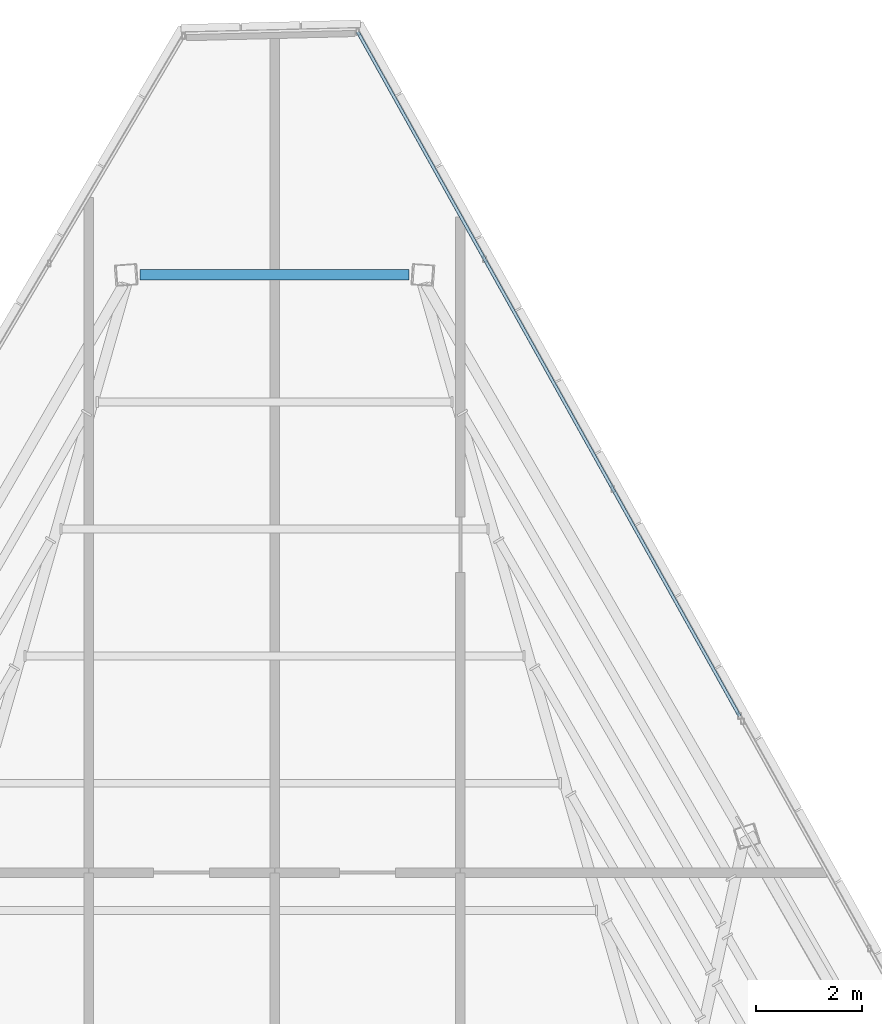
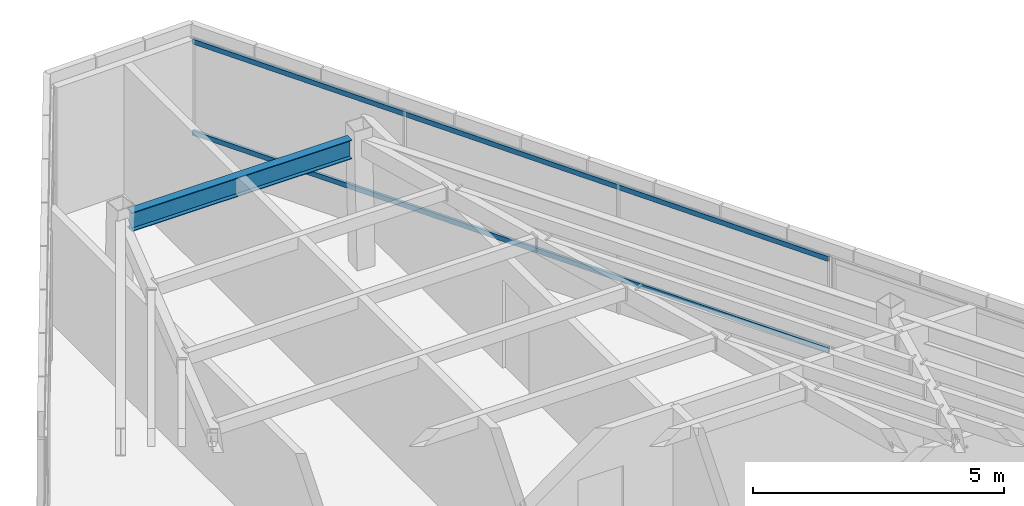
# One storey, part 36 of 48: 2 members, 1 beam, 1 element without a shape of its own.
"""IFC4 building model written with IfcOpenShell, lengths in metres."""

import ifcopenshell
import ifcopenshell.guid

model = None  # the IFC model being written
_history = None  # IfcOwnerHistory: only IFC2X3 demands one
_inside = {}  # id of a spatial element -> (the spatial element, [elements in it])
_under = {}  # id of a project, library or spatial element -> (it, [spatial elements below it])
_declared = {}  # id of a project -> (the project, [libraries it declares])
_typed = {}  # id of a type object -> (the type object, [elements of that type])
_made_of = {}  # id of a material, layer set ... -> (it, [elements and type objects made of it])


def new_model(schema):
    """Start an empty IFC model of exactly this schema.

    Asked for "IFC4X3", IfcOpenShell would pick the latest addendum, in which some entities
    have other attributes; the version numbers below select the first issue.
    IFC2X3 requires an IfcOwnerHistory on every rooted entity: one is made here for all.
    """
    global model, _history
    if schema == "IFC4X3":
        model = ifcopenshell.file(schema_version=(4, 3, 0, 0))
    else:
        model = ifcopenshell.file(schema=schema)
    _inside.clear()
    _under.clear()
    _declared.clear()
    _typed.clear()
    _made_of.clear()
    _history = None
    if model.schema == "IFC2X3":
        org = make("IfcOrganization", Name="unknown")
        user = make(
            "IfcPersonAndOrganization",
            ThePerson=make("IfcPerson", FamilyName="unknown"),
            TheOrganization=org,
        )
        app = make(
            "IfcApplication",
            ApplicationDeveloper=org,
            Version="unknown",
            ApplicationFullName="unknown",
            ApplicationIdentifier="unknown",
        )
        _history = make(
            "IfcOwnerHistory",
            OwningUser=user,
            OwningApplication=app,
            ChangeAction="ADDED",
            CreationDate=0,
        )
    return model


def make(cls, **values):
    """One entity of the class cls with the attributes given. An attribute that is None is left unset."""
    return model.create_entity(
        cls, **{name: value for name, value in values.items() if value is not None}
    )


def rooted(cls, **values):
    """An entity with a GlobalId (a new one), such as an element, a storey or a relation."""
    return make(cls, GlobalId=ifcopenshell.guid.new(), OwnerHistory=_history, **values)


def si_unit(unit_type, name, prefix=None):
    """IfcSIUnit, for example si_unit("LENGTHUNIT", "METRE", prefix="MILLI")."""
    return make("IfcSIUnit", UnitType=unit_type, Prefix=prefix, Name=name)


def assignment(units):
    """IfcUnitAssignment: the units of a project."""
    return None if units is None else make("IfcUnitAssignment", Units=units)


def point(xyz):
    """IfcCartesianPoint."""
    return None if xyz is None else make("IfcCartesianPoint", Coordinates=xyz)


def direction(xyz):
    """IfcDirection."""
    return None if xyz is None else make("IfcDirection", DirectionRatios=xyz)


def frame(location, z_axis=None, x_axis=None):
    """IfcAxis2Placement3D, a coordinate frame: its origin and axes. An axis left out is left unset."""
    return make(
        "IfcAxis2Placement3D",
        Location=point(location),
        Axis=direction(z_axis),
        RefDirection=direction(x_axis),
    )


def frame_2d(location, x_axis=None):
    """IfcAxis2Placement2D, a coordinate frame in the plane: its origin and x axis."""
    return make(
        "IfcAxis2Placement2D", Location=point(location), RefDirection=direction(x_axis)
    )


def origin():
    """The frame at (0, 0, 0) with its axes left unset."""
    return frame((0.0, 0.0, 0.0))


def origin_2d():
    """The frame at (0, 0) in the plane with its x axis left unset."""
    return frame_2d((0.0, 0.0))


def place(relative_to, where):
    """IfcLocalPlacement: puts the frame where relative to a parent placement (None: the world)."""
    return make(
        "IfcLocalPlacement", PlacementRelTo=relative_to, RelativePlacement=where
    )


def context(
    kind, dimensions, precision=None, world=None, true_north=None, identifier=None
):
    """IfcGeometricRepresentationContext, for example the 3D "Model" context."""
    return make(
        "IfcGeometricRepresentationContext",
        ContextIdentifier=identifier,
        ContextType=kind,
        CoordinateSpaceDimension=dimensions,
        Precision=precision,
        WorldCoordinateSystem=world,
        TrueNorth=true_north,
    )


def subcontext(parent, identifier, kind, view, scale=None):
    """IfcGeometricRepresentationSubContext, for example "Body" below "Model"."""
    return make(
        "IfcGeometricRepresentationSubContext",
        ContextIdentifier=identifier,
        ContextType=kind,
        ParentContext=parent,
        TargetScale=scale,
        TargetView=view,
    )


def project(units=None, contexts=None):
    """IfcProject with its units and contexts."""
    return rooted(
        "IfcProject",
        Name="project",
        RepresentationContexts=contexts,
        UnitsInContext=assignment(units),
    )


def spatial(cls, under=None, at=None, **own):
    """A site, building, storey or space (cls), placed at a placement, below another one or the project."""
    s = rooted(cls, ObjectPlacement=at, **own)
    if under is not None:
        _under.setdefault(under.id(), (under, []))[1].append(s)
    return s


def profile(cls, at=None, kind="AREA", **sizes):
    """A parametric profile (cls). Its sizes go by their IFC names, for example OverallWidth=200.0."""
    return make(cls, ProfileType=kind, Position=at, **sizes)


def hollow_rectangle(**sizes):
    """IfcRectangleHollowProfileDef."""
    return profile("IfcRectangleHollowProfileDef", **sizes)


def i_section(**sizes):
    """IfcIShapeProfileDef."""
    return profile("IfcIShapeProfileDef", **sizes)


def extrude(swept, where, along, depth):
    """IfcExtrudedAreaSolid: the profile swept, set in the frame where, extruded along a direction by depth."""
    return make(
        "IfcExtrudedAreaSolid",
        SweptArea=swept,
        Position=where,
        ExtrudedDirection=direction(along),
        Depth=depth,
    )


def shape(context_of_items, identifier, shape_type, items):
    """IfcShapeRepresentation: the items that make up one representation, for example the "Body"."""
    return make(
        "IfcShapeRepresentation",
        ContextOfItems=context_of_items,
        RepresentationIdentifier=identifier,
        RepresentationType=shape_type,
        Items=items,
    )


def source(mapping_origin, context_of_items, identifier, shape_type, items):
    """IfcRepresentationMap: a shape defined once, which mapped items show again and again."""
    return make(
        "IfcRepresentationMap",
        MappingOrigin=mapping_origin,
        MappedRepresentation=shape(context_of_items, identifier, shape_type, items),
    )


def transform(
    local_origin,
    x_axis=None,
    y_axis=None,
    z_axis=None,
    scale=None,
    scale2=None,
    scale3=None,
    uniform=True,
):
    """IfcCartesianTransformationOperator3D, or its non-uniform kind. x_axis, y_axis, z_axis: its Axis1, 2, 3."""
    if uniform:
        return make(
            "IfcCartesianTransformationOperator3D",
            Axis1=direction(x_axis),
            Axis2=direction(y_axis),
            LocalOrigin=point(local_origin),
            Scale=scale,
            Axis3=direction(z_axis),
        )
    return make(
        "IfcCartesianTransformationOperator3DnonUniform",
        Axis1=direction(x_axis),
        Axis2=direction(y_axis),
        LocalOrigin=point(local_origin),
        Scale=scale,
        Axis3=direction(z_axis),
        Scale2=scale2,
        Scale3=scale3,
    )


def mapped(mapping_source, mapping_target):
    """IfcMappedItem: shows the shape of a source again, moved by a transform."""
    return make(
        "IfcMappedItem", MappingSource=mapping_source, MappingTarget=mapping_target
    )


def material(Name=None, Category=None):
    """IfcMaterial."""
    return make("IfcMaterial", Name=Name, Category=Category)


def material_profile(
    of_material, cross_section, Name=None, Category=None, Priority=None
):
    """IfcMaterialProfile: a cross section and its material."""
    return make(
        "IfcMaterialProfile",
        Name=Name,
        Material=of_material,
        Profile=cross_section,
        Priority=Priority,
        Category=Category,
    )


def profile_set(profiles, Name=None, composite=None):
    """IfcMaterialProfileSet."""
    return make(
        "IfcMaterialProfileSet",
        Name=Name,
        MaterialProfiles=profiles,
        CompositeProfile=composite,
    )


def made_of(thing, what):
    """Note that an element or type object is made of a material, layer set ...; save() writes the relation."""
    if what is not None:
        _made_of.setdefault(what.id(), (what, []))[1].append(thing)
    return thing


def type_object(cls, material=None, **own):
    """A type object (cls), such as IfcWallType, which elements share."""
    return made_of(rooted(cls, **own), material)


def type_shapes(of_type, sources):
    """Give a type object the sources (RepresentationMaps) that its elements show as mapped items."""
    of_type.RepresentationMaps = sources


def element(
    cls,
    number,
    at=None,
    inside=None,
    cuts=None,
    type_object=None,
    material=None,
    context=None,
    identifier="Body",
    shape_type=None,
    held_by="IfcProductDefinitionShape",
    body=None,
    shapes=None,
    **own,
):
    """One element of the class cls, such as IfcWall. Its Tag is "e" and its number.

    at: its placement. inside: the storey or other place that contains it. cuts: it is an
    opening in that element (IfcRelVoidsElement). A single representation is given by context,
    identifier, shape_type and body (its items); several are given by shapes. held_by: the class
    of the entity that holds the representations. save() writes the other relations.
    """
    e = rooted(cls, Tag="e%d" % number, ObjectPlacement=at, **own)
    if body is not None:
        shapes = [shape(context, identifier, shape_type, body)]
    if shapes is not None:
        e.Representation = make(held_by, Representations=shapes)
    if inside is not None:
        _inside.setdefault(inside.id(), (inside, []))[1].append(e)
    if cuts is not None:
        rooted(
            "IfcRelVoidsElement", RelatingBuildingElement=cuts, RelatedOpeningElement=e
        )
    if type_object is not None:
        _typed.setdefault(type_object.id(), (type_object, []))[1].append(e)
    return made_of(e, material)


def aggregate(whole, parts):
    """IfcRelAggregates: a whole, such as a stair, and the parts it consists of."""
    return rooted("IfcRelAggregates", RelatingObject=whole, RelatedObjects=parts)


def save(model, path):
    """Write the relations noted so far, then the file.

    IfcRelAggregates (storeys below a building ...), IfcRelContainedInSpatialStructure (elements
    in a storey), IfcRelDefinesByType, IfcRelAssociatesMaterial and IfcRelDeclares: one each for
    every whole, place, type object, material and project.
    """
    for whole, parts in _under.values():
        aggregate(whole, parts)
    for where, things in _inside.values():
        rooted(
            "IfcRelContainedInSpatialStructure",
            RelatedElements=things,
            RelatingStructure=where,
        )
    for kind, things in _typed.values():
        rooted("IfcRelDefinesByType", RelatedObjects=things, RelatingType=kind)
    for what, things in _made_of.values():
        rooted("IfcRelAssociatesMaterial", RelatedObjects=things, RelatingMaterial=what)
    for by, libraries in _declared.values():
        rooted("IfcRelDeclares", RelatingContext=by, RelatedDefinitions=libraries)
    model.write(path)


model = new_model("IFC4")

# Units and contexts
model_context = context("Model", 3, precision=1e-05, world=origin(), true_north=direction((0.0, 1.0)))
body_context = subcontext(model_context, "Body", "Model", "MODEL_VIEW")
ifc_project = project(units=[si_unit("LENGTHUNIT", "METRE"), si_unit("AREAUNIT", "SQUARE_METRE"), si_unit("VOLUMEUNIT", "CUBIC_METRE"), si_unit("PLANEANGLEUNIT", "RADIAN"), si_unit("MASSUNIT", "GRAM", prefix="KILO")], contexts=[model_context])

# Site, building, storey
site_placement = place(None, origin())
site = spatial("IfcSite", under=ifc_project, at=site_placement, CompositionType="ELEMENT")
building_placement = place(site_placement, origin())
building = spatial("IfcBuilding", under=site, at=building_placement, Name="Caelisora Broadcast Tower", CompositionType="ELEMENT")
storey_placement = place(building_placement, frame((0.0, 0.0, 300.0)))
storey = spatial("IfcBuildingStorey", under=building, at=storey_placement, Name="L79", CompositionType="ELEMENT", Elevation=300.0)

# Beam
ifc_material_1 = material(Name="Steel Grade 350 (AS/NZS 3679.1)", Category="steel")
ifc_material_profile_1 = material_profile(ifc_material_1, i_section(OverallWidth=0.19091796875, OverallDepth=0.46044921875, WebThickness=0.010009765625, FlangeThickness=0.01611328125, at=origin_2d()), Name="Steel Grade 350 (AS/NZS 3679.1)")
ifc_profile_set_1 = profile_set([ifc_material_profile_1], Name="Steel Grade 350 (AS/NZS 3679.1)")
beam_type = type_object("IfcBeamType", Name="PG06", PredefinedType="BEAM", material=ifc_profile_set_1)
shared_shape_1 = source(origin(), body_context, "Body", "SweptSolid", [
    extrude(i_section(OverallWidth=0.19091796875, OverallDepth=0.46044921875, WebThickness=0.010009765625, FlangeThickness=0.01611328125, at=origin_2d()), origin(), (0.0, 0.0, 1.0), 5.0615234375),
])
type_shapes(beam_type, [shared_shape_1])
beam_placement = place(storey_placement, frame((40.53076171875, 46.756103515625, 2.919921875), z_axis=(-0.999999998837, 4.8234613e-05, 0.0), x_axis=(-4.8234613e-05, -0.999999998837, 0.0)))
element("IfcBeam", 1, at=beam_placement, inside=storey, type_object=beam_type, Name="L79 beam PG06", PredefinedType="BEAM", context=body_context, shape_type="MappedRepresentation", body=[
    mapped(shared_shape_1, transform((0.0, 0.0, 0.0), scale=1.0)),
])

# Curtain wall, members
ifc_material_2 = material(Name="Unitised Aluminium Insulated Shadow-Box Spandrel Curtain Wall", Category="aluminium")
curtain_wall_type = type_object("IfcCurtainWallType", Name="CW-SP3", PredefinedType="NOTDEFINED", material=ifc_material_2)
curtain_wall_placement = place(storey_placement, origin())
curtain_wall = element("IfcCurtainWall", 2, at=curtain_wall_placement, inside=storey, type_object=curtain_wall_type, Name="L79 curtain wall CW-SP3", PredefinedType="NOTDEFINED")
ifc_material_3 = material(Name="Aluminium 6063-T6 Anodised Terracotta Bronze", Category="aluminium")
ifc_material_profile_2 = material_profile(ifc_material_3, hollow_rectangle(XDim=0.06005859375, YDim=0.1201171875, WallThickness=0.0029296875, at=origin_2d()), Name="Aluminium 6063-T6 Anodised Terracotta Bronze")
ifc_profile_set_2 = profile_set([ifc_material_profile_2], Name="Aluminium 6063-T6 Anodised Terracotta Bronze")
member_type = type_object("IfcMemberType", Name="CWT-03", PredefinedType="USERDEFINED", material=ifc_profile_set_2)
shared_shape_2 = source(origin(), body_context, "Body", "SweptSolid", [
    extrude(hollow_rectangle(XDim=0.06005859375, YDim=0.1201171875, WallThickness=0.0029296875, at=origin_2d()), origin(), (0.0, 0.0, 1.0), 14.75244140625),
])
type_shapes(member_type, [shared_shape_2])
member_1_placement = place(storey_placement, frame((39.56640625, 51.327392578125, 0.85009765625), z_axis=(0.48732536913, -0.873220467352, 0.0), x_axis=(0.873220467352, 0.48732536913, 0.0)))
member_1 = element("IfcMember", 3, at=member_1_placement, type_object=member_type, Name="L79-CW-B01 transom #1", ObjectType="TRANSOM", PredefinedType="USERDEFINED", context=body_context, shape_type="MappedRepresentation", body=[
    mapped(shared_shape_2, transform((0.0, 0.0, 0.0), scale=1.0)),
])
member_2_placement = place(storey_placement, frame((39.56640625, 51.327392578125, 3.070068359375), z_axis=(0.48732536913, -0.873220467352, 0.0), x_axis=(0.873220467352, 0.48732536913, 0.0)))
member_2 = element("IfcMember", 4, at=member_2_placement, type_object=member_type, Name="L79-CW-B01 transom #2", ObjectType="TRANSOM", PredefinedType="USERDEFINED", context=body_context, shape_type="MappedRepresentation", body=[
    mapped(shared_shape_2, transform((0.0, 0.0, 0.0), scale=1.0)),
])
aggregate(curtain_wall, [member_1, member_2])

save(model, "model.ifc")
